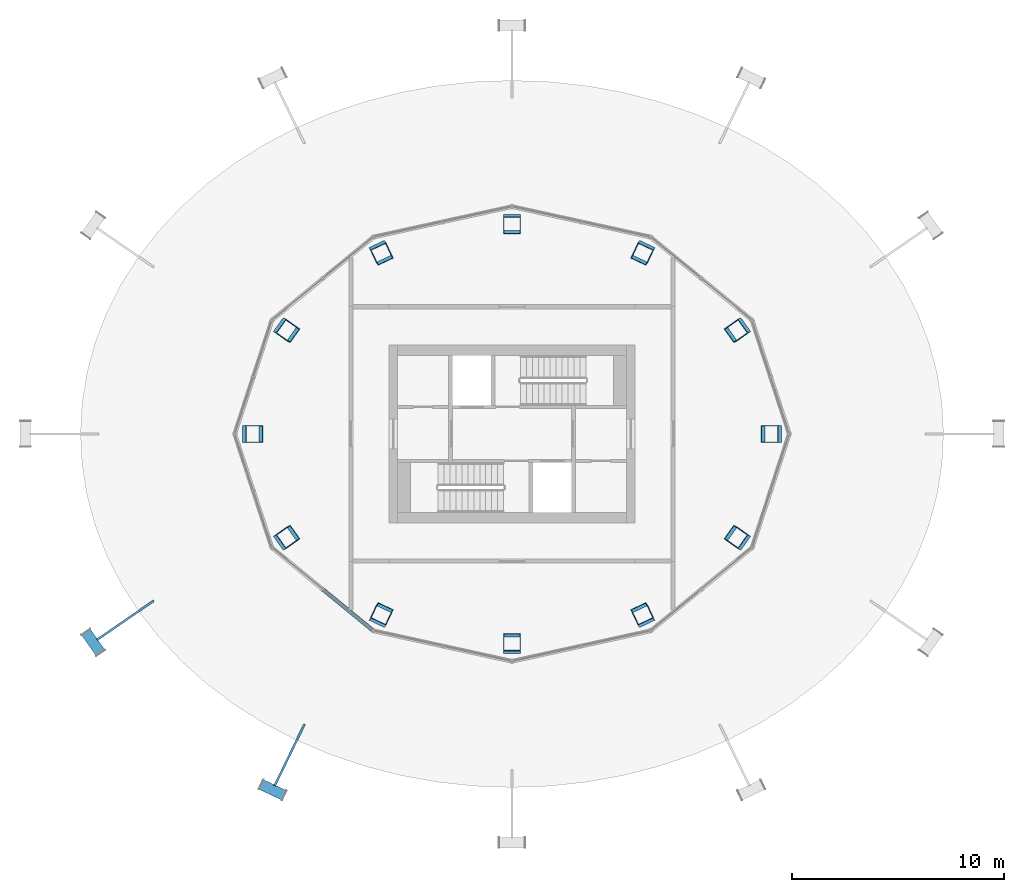
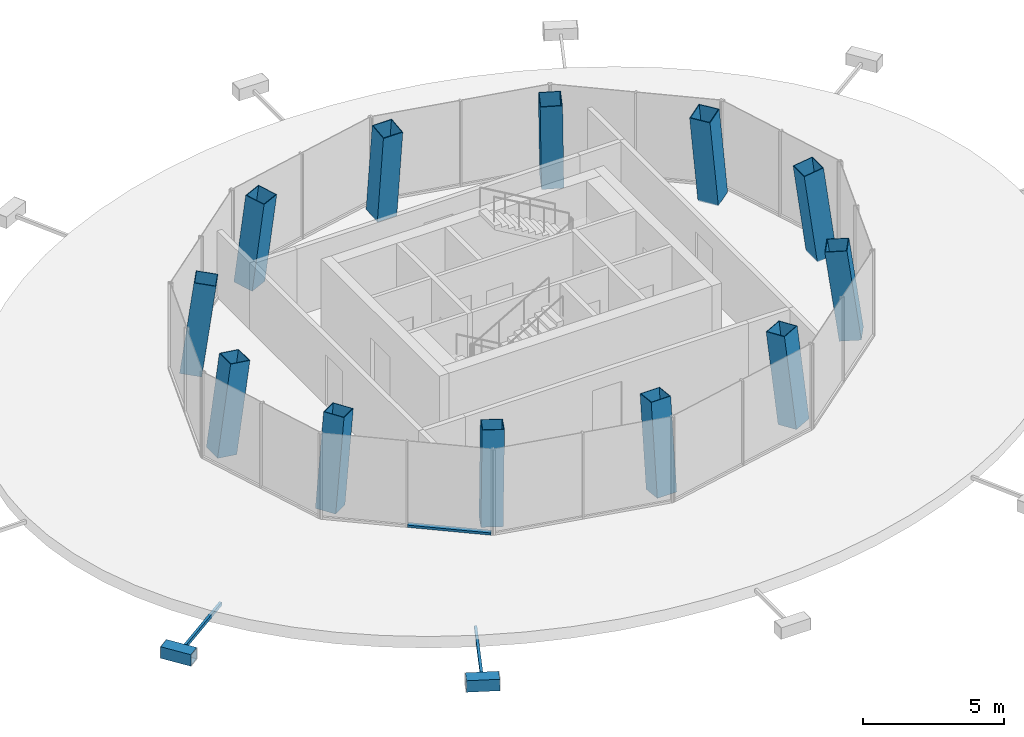
# One storey, part 1 of 10: 12 columns, 5 members, 1 element without a shape of its own.
"""IFC4 building model written with IfcOpenShell, lengths in metres."""

from ifc_helpers import new_model, si_unit, direction, frame, origin, origin_2d, place, context, subcontext, project, spatial, rectangle, hollow_rectangle, extrude, material, layer, layer_set, material_profile, profile_set, type_object, element, aggregate, save


model = new_model("IFC4")

# Units and contexts
model_context = context("Model", 3, precision=1e-05, world=origin(), true_north=direction((0.0, 1.0)))
body_context = subcontext(model_context, "Body", "Model", "MODEL_VIEW")
ifc_project = project(units=[si_unit("LENGTHUNIT", "METRE"), si_unit("AREAUNIT", "SQUARE_METRE"), si_unit("VOLUMEUNIT", "CUBIC_METRE"), si_unit("PLANEANGLEUNIT", "RADIAN"), si_unit("MASSUNIT", "GRAM", prefix="KILO")], contexts=[model_context])

# Site, building, storey
site_placement = place(None, origin())
site = spatial("IfcSite", under=ifc_project, at=site_placement, CompositionType="ELEMENT")
building_placement = place(site_placement, origin())
building = spatial("IfcBuilding", under=site, at=building_placement, Name="Siaravel Broadcast Tower", CompositionType="ELEMENT")
storey_placement = place(building_placement, frame((0.0, 0.0, 272.60009765625)))
storey = spatial("IfcBuildingStorey", under=building, at=storey_placement, Name="L66", CompositionType="ELEMENT", Elevation=272.60009765625)

# Columns
ifc_material_1 = material(Name="Concrete C50/60", Category="concrete")
ifc_material_profile_1 = material_profile(ifc_material_1, hollow_rectangle(XDim=0.800048828125, YDim=0.800048828125, WallThickness=0.02490234375, at=origin_2d()))
ifc_profile_set_1 = profile_set([ifc_material_profile_1], Name="Concrete C50/60")
column_type = type_object("IfcColumnType", Name="Crown rib CFT BOX 800x800x25", PredefinedType="COLUMN", material=ifc_profile_set_1)
column_1_placement = place(storey_placement, frame((12.319580078125, 0.0, 0.0), z_axis=(-0.136861927, 0.0, 0.990590134), x_axis=(0.0, -1.0, 0.0)))
element("IfcColumn", 1, at=column_1_placement, inside=storey, type_object=column_type, Name="Crown rib 01", PredefinedType="COLUMN", context=body_context, shape_type="SweptSolid", body=[
    extrude(hollow_rectangle(XDim=0.800048828125, YDim=0.800048828125, WallThickness=0.02490234375, at=origin_2d()), origin(), (0.0, 0.0, 1.0), 3.93701171875),
])
column_2_placement = place(storey_placement, frame((10.703857421875, 4.927001953125, 0.0), z_axis=(-0.1190343, -0.054862524, 0.991373259), x_axis=(0.575106985, -0.817731936, 0.023799935)))
element("IfcColumn", 2, at=column_2_placement, inside=storey, type_object=column_type, Name="Crown rib 02", PredefinedType="COLUMN", context=body_context, shape_type="SweptSolid", body=[
    extrude(hollow_rectangle(XDim=0.800048828125, YDim=0.800048828125, WallThickness=0.02490234375, at=origin_2d()), origin(), (0.0, 0.0, 1.0), 3.933837890625),
])
column_3_placement = place(storey_placement, frame((6.21142578125, 8.6005859375, 0.0), z_axis=(-0.06918715, -0.095854973, 0.992987896), x_axis=(0.903382147, -0.428292118, 0.021599968)))
element("IfcColumn", 3, at=column_3_placement, inside=storey, type_object=column_type, Name="Crown rib 03", PredefinedType="COLUMN", context=body_context, shape_type="SweptSolid", body=[
    extrude(hollow_rectangle(XDim=0.800048828125, YDim=0.800048828125, WallThickness=0.02490234375, at=origin_2d()), origin(), (0.0, 0.0, 1.0), 3.927490234375),
])
column_4_placement = place(storey_placement, frame((0.0, 9.962158203125, 0.0), z_axis=(0.0, -0.111052891, 0.993814497), x_axis=(1.0, 0.0, 0.0)))
element("IfcColumn", 4, at=column_4_placement, inside=storey, type_object=column_type, Name="Crown rib 04", PredefinedType="COLUMN", context=body_context, shape_type="SweptSolid", body=[
    extrude(hollow_rectangle(XDim=0.800048828125, YDim=0.800048828125, WallThickness=0.02490234375, at=origin_2d()), origin(), (0.0, 0.0, 1.0), 3.924072265625),
])
column_5_placement = place(storey_placement, frame((-6.21142578125, 8.6005859375, 0.0), z_axis=(0.06918715, -0.095854973, 0.992987896), x_axis=(0.903382147, 0.428292118, -0.021599968)))
element("IfcColumn", 5, at=column_5_placement, inside=storey, type_object=column_type, Name="Crown rib 05", PredefinedType="COLUMN", context=body_context, shape_type="SweptSolid", body=[
    extrude(hollow_rectangle(XDim=0.800048828125, YDim=0.800048828125, WallThickness=0.02490234375, at=origin_2d()), origin(), (0.0, 0.0, 1.0), 3.927490234375),
])
column_6_placement = place(storey_placement, frame((-10.703857421875, 4.927001953125, 0.0), z_axis=(0.1190343, -0.054862524, 0.991373259), x_axis=(0.575106985, 0.817731936, -0.023799935)))
element("IfcColumn", 6, at=column_6_placement, inside=storey, type_object=column_type, Name="Crown rib 06", PredefinedType="COLUMN", context=body_context, shape_type="SweptSolid", body=[
    extrude(hollow_rectangle(XDim=0.800048828125, YDim=0.800048828125, WallThickness=0.02490234375, at=origin_2d()), origin(), (0.0, 0.0, 1.0), 3.933837890625),
])
column_7_placement = place(storey_placement, frame((-12.319580078125, 0.0, 0.0), z_axis=(0.136861927, 0.0, 0.990590134), x_axis=(0.0, 1.0, 0.0)))
element("IfcColumn", 7, at=column_7_placement, inside=storey, type_object=column_type, Name="Crown rib 07", PredefinedType="COLUMN", context=body_context, shape_type="SweptSolid", body=[
    extrude(hollow_rectangle(XDim=0.800048828125, YDim=0.800048828125, WallThickness=0.02490234375, at=origin_2d()), origin(), (0.0, 0.0, 1.0), 3.93701171875),
])
column_8_placement = place(storey_placement, frame((-10.703857421875, -4.927001953125, 0.0), z_axis=(0.1190343, 0.054862524, 0.991373259), x_axis=(-0.575106985, 0.817731936, 0.023799935)))
element("IfcColumn", 8, at=column_8_placement, inside=storey, type_object=column_type, Name="Crown rib 08", PredefinedType="COLUMN", context=body_context, shape_type="SweptSolid", body=[
    extrude(hollow_rectangle(XDim=0.800048828125, YDim=0.800048828125, WallThickness=0.02490234375, at=origin_2d()), origin(), (0.0, 0.0, 1.0), 3.933837890625),
])
column_9_placement = place(storey_placement, frame((-6.21142578125, -8.6005859375, 0.0), z_axis=(0.06918715, 0.095854973, 0.992987896), x_axis=(-0.903382147, 0.428292118, 0.021599968)))
element("IfcColumn", 9, at=column_9_placement, inside=storey, type_object=column_type, Name="Crown rib 09", PredefinedType="COLUMN", context=body_context, shape_type="SweptSolid", body=[
    extrude(hollow_rectangle(XDim=0.800048828125, YDim=0.800048828125, WallThickness=0.02490234375, at=origin_2d()), origin(), (0.0, 0.0, 1.0), 3.927490234375),
])
column_10_placement = place(storey_placement, frame((0.0, -9.962158203125, 0.0), z_axis=(0.0, 0.111052891, 0.993814497), x_axis=(-1.0, 0.0, 0.0)))
element("IfcColumn", 10, at=column_10_placement, inside=storey, type_object=column_type, Name="Crown rib 10", PredefinedType="COLUMN", context=body_context, shape_type="SweptSolid", body=[
    extrude(hollow_rectangle(XDim=0.800048828125, YDim=0.800048828125, WallThickness=0.02490234375, at=origin_2d()), origin(), (0.0, 0.0, 1.0), 3.924072265625),
])
column_11_placement = place(storey_placement, frame((6.21142578125, -8.6005859375, 0.0), z_axis=(-0.06918715, 0.095854973, 0.992987896), x_axis=(-0.903382147, -0.428292118, -0.021599968)))
element("IfcColumn", 11, at=column_11_placement, inside=storey, type_object=column_type, Name="Crown rib 11", PredefinedType="COLUMN", context=body_context, shape_type="SweptSolid", body=[
    extrude(hollow_rectangle(XDim=0.800048828125, YDim=0.800048828125, WallThickness=0.02490234375, at=origin_2d()), origin(), (0.0, 0.0, 1.0), 3.927490234375),
])
column_12_placement = place(storey_placement, frame((10.703857421875, -4.927001953125, 0.0), z_axis=(-0.1190343, 0.054862524, 0.991373259), x_axis=(-0.575106985, -0.817731936, -0.023799935)))
element("IfcColumn", 12, at=column_12_placement, inside=storey, type_object=column_type, Name="Crown rib 12", PredefinedType="COLUMN", context=body_context, shape_type="SweptSolid", body=[
    extrude(hollow_rectangle(XDim=0.800048828125, YDim=0.800048828125, WallThickness=0.02490234375, at=origin_2d()), origin(), (0.0, 0.0, 1.0), 3.933837890625),
])

# Curtain wall, member
ifc_material_2 = material(Name="Aluminium 6063-T6", Category="aluminium")
ifc_layer = layer(ifc_material_2, 0.179931640625)
ifc_layer_set = layer_set([ifc_layer], Name="Aluminium 6063-T6")
curtain_wall_type = type_object("IfcCurtainWallType", Name="Crown glass facet wall", PredefinedType="NOTDEFINED", material=ifc_layer_set)
curtain_wall_placement = place(storey_placement, origin())
curtain_wall = element("IfcCurtainWall", 13, at=curtain_wall_placement, inside=storey, type_object=curtain_wall_type, Name="L66 Crown glass facet wall 08", PredefinedType="NOTDEFINED")
ifc_material_profile_2 = material_profile(ifc_material_2, rectangle(XDim=0.179931640625, YDim=0.10009765625, at=origin_2d()))
ifc_profile_set_2 = profile_set([ifc_material_profile_2], Name="Aluminium 6063-T6")
member_type_1 = type_object("IfcMemberType", Name="CW-CR transom", PredefinedType="USERDEFINED", material=ifc_profile_set_2)
member_1_placement = place(storey_placement, frame((-8.9091796875, -7.347412109375, 0.0498046875), z_axis=(0.773573557, -0.633706519, 0.0), x_axis=(0.633706519, 0.773573557, 0.0)))
member_1 = element("IfcMember", 14, at=member_1_placement, type_object=member_type_1, Name="CW-CR transom 2", ObjectType="TRANSOM", PredefinedType="USERDEFINED", context=body_context, shape_type="SweptSolid", body=[
    extrude(rectangle(XDim=0.179931640625, YDim=0.10009765625, at=origin_2d()), origin(), (0.0, 0.0, 1.0), 3.005859375),
])
aggregate(curtain_wall, [member_1])

# Members
ifc_material_3 = material(Name="Steel S460", Category="steel")
ifc_material_profile_3 = material_profile(ifc_material_3, hollow_rectangle(XDim=0.5, YDim=0.5, WallThickness=0.031982421875, at=origin_2d()))
ifc_profile_set_3 = profile_set([ifc_material_profile_3], Name="Steel S460")
member_type_2 = type_object("IfcMemberType", Name="Diagrid node BOX 500x500x32", PredefinedType="USERDEFINED", material=ifc_profile_set_3)
for number, where, z_axis, x_axis, name in (
    (15, (-20.102294921875, -9.352783203125, -0.2001953125), (0.575972278, -0.817469226, 0.0), (0.817469226, 0.575972278, 0.0), "Diagrid node R27 station 42"),
    (16, (-11.82958984375, -16.5419921875, -0.2001953125), (0.904005771, -0.427520253, 0.0), (0.427520253, 0.904005771, 0.0), "Diagrid node R27 station 48"),
):
    element("IfcMember", number, at=place(storey_placement, frame(where, z_axis=z_axis, x_axis=x_axis)), inside=storey, type_object=member_type_2, Name=name, ObjectType="DIAGRID NODE", PredefinedType="USERDEFINED", context=body_context, shape_type="SweptSolid", body=[
        extrude(hollow_rectangle(XDim=0.5, YDim=0.5, WallThickness=0.031982421875, at=origin_2d()), origin(), (0.0, 0.0, 1.0), 1.186767578125),
    ])
ifc_material_profile_4 = material_profile(ifc_material_3, hollow_rectangle(XDim=0.10009765625, YDim=0.14990234375, WallThickness=0.008056640625, at=origin_2d()))
ifc_profile_set_4 = profile_set([ifc_material_profile_4], Name="Steel S460")
member_type_3 = type_object("IfcMemberType", Name="Diagrid node arm RHS 150x100x8", PredefinedType="STRUT", material=ifc_profile_set_4)
member_2_placement = place(storey_placement, frame((-16.9013671875, -7.8681640625, -0.25), z_axis=(-0.823487336, -0.567334652, 0.0), x_axis=(0.567334652, -0.823487336, 0.0)))
element("IfcMember", 17, at=member_2_placement, inside=storey, type_object=member_type_3, Name="Node arm R27 station 42", PredefinedType="STRUT", context=body_context, shape_type="SweptSolid", body=[
    extrude(hollow_rectangle(XDim=0.10009765625, YDim=0.14990234375, WallThickness=0.008056640625, at=origin_2d()), origin(), (0.0, 0.0, 1.0), 3.251953125),
])
member_3_placement = place(storey_placement, frame((-9.78857421875, -13.692138671875, -0.25), z_axis=(-0.436262376, -0.899819504, 0.0), x_axis=(0.899819504, -0.436262376, 0.0)))
element("IfcMember", 18, at=member_3_placement, inside=storey, type_object=member_type_3, Name="Node arm R27 station 48", PredefinedType="STRUT", context=body_context, shape_type="SweptSolid", body=[
    extrude(hollow_rectangle(XDim=0.10009765625, YDim=0.14990234375, WallThickness=0.008056640625, at=origin_2d()), origin(), (0.0, 0.0, 1.0), 3.22900390625),
])

save(model, "model.ifc")
